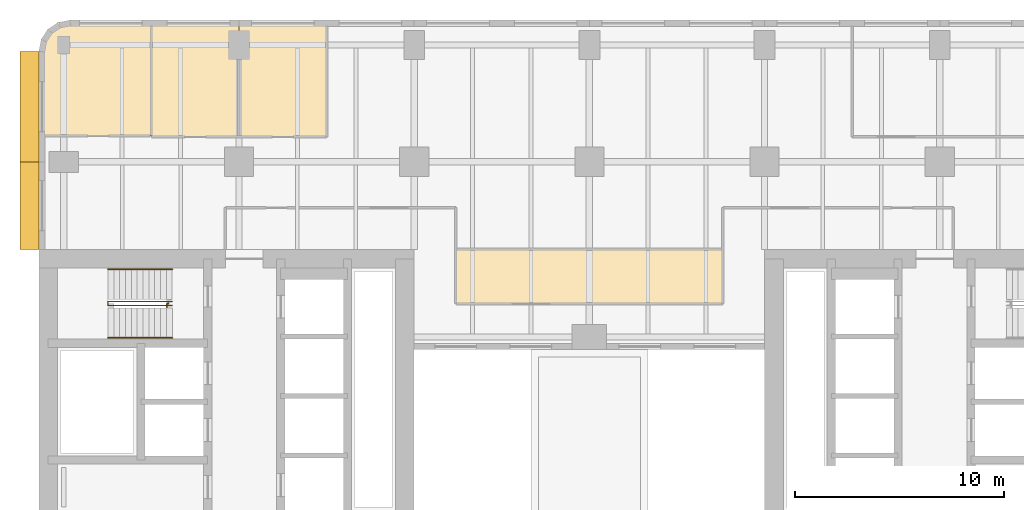
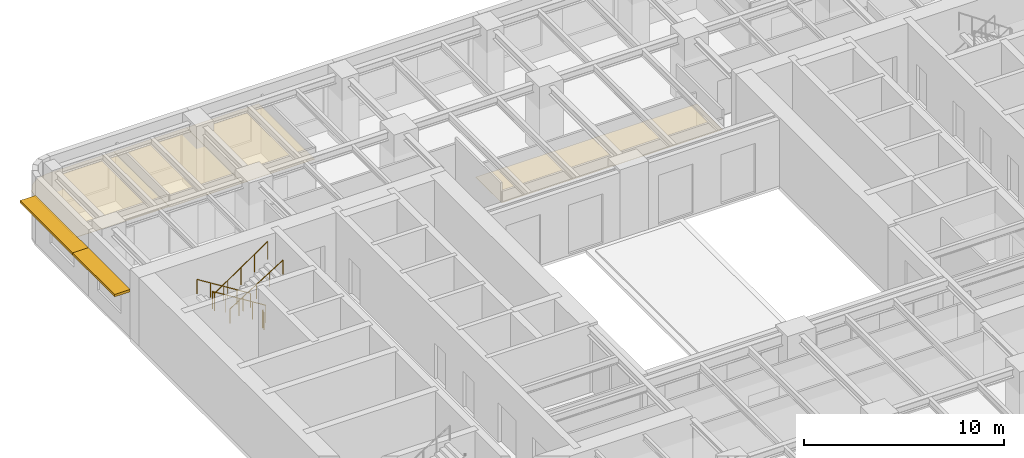
# One storey, part 12 of 14: 4 coverings, 4 railings, 2 shading devices.
"""IFC4 building model written with IfcOpenShell, lengths in metres."""

from ifc_helpers import new_model, si_unit, direction, frame, origin, origin_2d, place, context, subcontext, project, spatial, polyline, rectangle, circle, outline, extrude, material, layer, layer_set, type_object, element, save


model = new_model("IFC4")

# Units and contexts
model_context = context("Model", 3, precision=1e-05, world=origin(), true_north=direction((0.0, 1.0)))
body_context = subcontext(model_context, "Body", "Model", "MODEL_VIEW")
ifc_project = project(units=[si_unit("LENGTHUNIT", "METRE"), si_unit("AREAUNIT", "SQUARE_METRE"), si_unit("VOLUMEUNIT", "CUBIC_METRE"), si_unit("PLANEANGLEUNIT", "RADIAN"), si_unit("MASSUNIT", "GRAM", prefix="KILO")], contexts=[model_context])

# Site, building, storey
site_placement = place(None, origin())
site = spatial("IfcSite", under=ifc_project, at=site_placement, CompositionType="ELEMENT")
building_placement = place(site_placement, origin())
building = spatial("IfcBuilding", under=site, at=building_placement, Name="Claustro Exchange Tower", CompositionType="ELEMENT")
storey_placement = place(building_placement, frame((0.0, 0.0, 100.800048828125)))
storey = spatial("IfcBuildingStorey", under=building, at=storey_placement, Name="L22", CompositionType="ELEMENT", Elevation=100.800048828125)

# Coverings
ifc_material_1 = material(Name="Gypsum board ceiling", Category="gypsum board")
ifc_layer_1 = layer(ifc_material_1, 0.02490234375)
ifc_layer_set_1 = layer_set([ifc_layer_1], Name="Gypsum board ceiling")
covering_type = type_object("IfcCoveringType", Name="CL2 plasterboard ceiling", PredefinedType="CEILING", material=ifc_layer_set_1)
covering_1_placement = place(storey_placement, frame((0.0, 0.0, 2.800048828125)))
element("IfcCovering", 1, at=covering_1_placement, inside=storey, type_object=covering_type, Name="Ceiling CL2 L22-14", PredefinedType="CEILING", context=body_context, shape_type="SweptSolid", body=[
    extrude(outline(polyline([(18.800048828125, 35.199951171875), (31.60009765625, 35.199951171875), (31.60009765625, 37.800048828125), (18.800048828125, 37.800048828125), (18.800048828125, 35.199951171875)])), origin(), (0.0, 0.0, 1.0), 0.02490234375),
])
covering_2_placement = place(storey_placement, frame((0.0, 0.0, 2.800048828125)))
element("IfcCovering", 2, at=covering_2_placement, inside=storey, type_object=covering_type, Name="Ceiling CL2 L22-17", PredefinedType="CEILING", context=body_context, shape_type="SweptSolid", body=[
    extrude(outline(polyline([(-1.199951171875, 47.300048828125), (-1.199951171875, 43.25), (4.199951171875, 43.25), (4.199951171875, 48.800048828125), (0.300048828125, 48.800048828125), (-0.27392578125, 48.685791015625), (-0.7607421875, 48.360595703125), (-1.085693359375, 47.8740234375), (-1.199951171875, 47.300048828125)])), origin(), (0.0, 0.0, 1.0), 0.02490234375),
])
covering_3_placement = place(storey_placement, frame((0.0, 0.0, 2.800048828125)))
element("IfcCovering", 3, at=covering_3_placement, inside=storey, type_object=covering_type, Name="Ceiling CL2 L22-18", PredefinedType="CEILING", context=body_context, shape_type="SweptSolid", body=[
    extrude(outline(polyline([(8.39990234375, 48.800048828125), (4.199951171875, 48.800048828125), (4.199951171875, 43.199951171875), (8.39990234375, 43.199951171875), (8.39990234375, 48.800048828125)])), origin(), (0.0, 0.0, 1.0), 0.02490234375),
])
covering_4_placement = place(storey_placement, frame((0.0, 0.0, 2.800048828125)))
element("IfcCovering", 4, at=covering_4_placement, inside=storey, type_object=covering_type, Name="Ceiling CL2 L22-19", PredefinedType="CEILING", context=body_context, shape_type="SweptSolid", body=[
    extrude(outline(polyline([(12.60009765625, 48.800048828125), (8.39990234375, 48.800048828125), (8.39990234375, 43.199951171875), (12.60009765625, 43.199951171875), (12.60009765625, 48.800048828125)])), origin(), (0.0, 0.0, 1.0), 0.02490234375),
])

# Railings
ifc_material_2 = material(Name="Steel balustrade, painted", Category="steel")
railing_type_1 = type_object("IfcRailingType", Name="GR2 1100 steel stair guard", PredefinedType="GUARDRAIL", material=ifc_material_2)
railing_1_placement = place(storey_placement, frame((5.199951171875, 35.300048828125, 0.175048828125)))
element("IfcRailing", 5, at=railing_1_placement, inside=storey, type_object=railing_type_1, Name="Stair well guard GR2 stair STWB L22", PredefinedType="GUARDRAIL", context=body_context, shape_type="SweptSolid", body=[
    extrude(circle(Radius=0.02392578125, at=origin_2d()), frame((0.0, 0.0, 1.076171875), z_axis=(-0.848009633417, 0.0, 0.529980812513), x_axis=(0.0, -1.0, 0.0)), (0.0, 0.0, 1.0), 3.6318359375),
    extrude(circle(Radius=0.02392578125, at=origin_2d()), frame((-3.079833984375, 0.0, 3.0009765625), z_axis=(0.0, -1.0, 0.0), x_axis=(1.0, 0.0, 0.0)), (0.0, 0.0, 1.0), 0.199951171875),
    extrude(circle(Radius=0.02392578125, at=origin_2d()), frame((-3.079833984375, -0.199951171875, 3.0009765625), z_axis=(0.826201015165, 0.0, 0.563375436579), x_axis=(0.0, 1.0, 0.0)), (0.0, 0.0, 1.0), 3.727783203125),
    extrude(circle(Radius=0.02099609375, at=origin_2d()), origin(), (0.0, 0.0, 1.0), 1.052001953125),
    extrude(circle(Radius=0.02099609375, at=origin_2d()), frame((-0.77001953125, 0.0, 0.481201171875)), (0.0, 0.0, 1.0), 1.052001953125),
    extrude(circle(Radius=0.02099609375, at=origin_2d()), frame((-1.5400390625, 0.0, 0.96240234375)), (0.0, 0.0, 1.0), 1.052001953125),
    extrude(circle(Radius=0.02099609375, at=origin_2d()), frame((-2.309814453125, 0.0, 1.443603515625)), (0.0, 0.0, 1.0), 1.052001953125),
    extrude(circle(Radius=0.02099609375, at=origin_2d()), frame((-3.079833984375, 0.0, 1.9248046875)), (0.0, 0.0, 1.0), 1.052001953125),
    extrude(circle(Radius=0.02099609375, at=origin_2d()), frame((-3.079833984375, -0.199951171875, 1.9248046875)), (0.0, 0.0, 1.0), 1.052001953125),
    extrude(circle(Radius=0.02099609375, at=origin_2d()), frame((-2.309814453125, -0.199951171875, 2.44970703125)), (0.0, 0.0, 1.0), 1.052001953125),
    extrude(circle(Radius=0.02099609375, at=origin_2d()), frame((-1.5400390625, -0.199951171875, 2.974853515625)), (0.0, 0.0, 1.0), 1.052001953125),
    extrude(circle(Radius=0.02099609375, at=origin_2d()), frame((-0.77001953125, -0.199951171875, 3.5)), (0.0, 0.0, 1.0), 1.052001953125),
    extrude(circle(Radius=0.02099609375, at=origin_2d()), frame((0.0, -0.199951171875, 4.02490234375)), (0.0, 0.0, 1.0), 1.052001953125),
])
railing_2_placement = place(storey_placement, frame((5.0, 35.22998046875, 0.0)))
element("IfcRailing", 6, at=railing_2_placement, inside=storey, type_object=railing_type_1, Name="Stair guard GR2 STWB L22", PredefinedType="GUARDRAIL", context=body_context, shape_type="SweptSolid", body=[
    extrude(circle(Radius=0.02392578125, at=origin_2d()), frame((0.0, 0.0, 1.076171875), z_axis=(0.0, -1.0, 0.0), x_axis=(1.0, 0.0, 0.0)), (0.0, 0.0, 1.0), 0.030029296875),
    extrude(circle(Radius=0.02392578125, at=origin_2d()), frame((0.0, -0.030029296875, 1.076171875), z_axis=(-1.0, 0.0, 0.0), x_axis=(0.0, -1.0, 0.0)), (0.0, 0.0, 1.0), 0.054931640625),
    extrude(circle(Radius=0.02392578125, at=origin_2d()), frame((-0.054931640625, -0.030029296875, 1.076171875), z_axis=(0.0, -1.0, 0.0), x_axis=(1.0, 0.0, 0.0)), (0.0, 0.0, 1.0), 0.179931640625),
    extrude(circle(Radius=0.02099609375, at=origin_2d()), origin(), (0.0, 0.0, 1.0), 1.052001953125),
    extrude(circle(Radius=0.02099609375, at=origin_2d()), frame((0.0, -0.030029296875, 0.0)), (0.0, 0.0, 1.0), 1.052001953125),
    extrude(circle(Radius=0.02099609375, at=origin_2d()), frame((-0.054931640625, -0.030029296875, 0.0)), (0.0, 0.0, 1.0), 1.052001953125),
    extrude(circle(Radius=0.02099609375, at=origin_2d()), frame((-0.054931640625, -0.2099609375, 0.0)), (0.0, 0.0, 1.0), 1.052001953125),
])
ifc_material_3 = material(Name="Stainless steel tube", Category="steel")
railing_type_2 = type_object("IfcRailingType", Name="HR1 900 stair handrail", PredefinedType="HANDRAIL", material=ifc_material_3)
railing_3_placement = place(storey_placement, frame((5.199951171875, 36.840087890625, 0.175048828125)))
element("IfcRailing", 7, at=railing_3_placement, inside=storey, type_object=railing_type_2, Name="Handrail HR1 stair STWB L22", PredefinedType="HANDRAIL", context=body_context, shape_type="SweptSolid", body=[
    extrude(circle(Radius=0.02392578125, at=origin_2d()), frame((0.0, 0.0, 0.8759765625), z_axis=(-0.848009633417, 0.0, 0.529980812513), x_axis=(0.0, -1.0, 0.0)), (0.0, 0.0, 1.0), 3.6318359375),
    extrude(circle(Radius=0.02099609375, at=origin_2d()), origin(), (0.0, 0.0, 1.0), 0.851806640625),
    extrude(circle(Radius=0.02099609375, at=origin_2d()), frame((-0.77001953125, 0.0, 0.481201171875)), (0.0, 0.0, 1.0), 0.851806640625),
    extrude(circle(Radius=0.02099609375, at=origin_2d()), frame((-1.5400390625, 0.0, 0.96240234375)), (0.0, 0.0, 1.0), 0.851806640625),
    extrude(circle(Radius=0.02099609375, at=origin_2d()), frame((-2.309814453125, 0.0, 1.443603515625)), (0.0, 0.0, 1.0), 0.851806640625),
    extrude(circle(Radius=0.02099609375, at=origin_2d()), frame((-3.079833984375, 0.0, 1.9248046875)), (0.0, 0.0, 1.0), 0.851806640625),
])
railing_4_placement = place(storey_placement, frame((2.1201171875, 33.56005859375, 2.27490234375)))
element("IfcRailing", 8, at=railing_4_placement, inside=storey, type_object=railing_type_2, Name="Handrail HR1 stair STWB L22", PredefinedType="HANDRAIL", context=body_context, shape_type="SweptSolid", body=[
    extrude(circle(Radius=0.02392578125, at=origin_2d()), frame((0.0, 0.0, 0.8759765625), z_axis=(0.847979421464, 0.0, 0.530029150871), x_axis=(0.0, 1.0, 0.0)), (0.0, 0.0, 1.0), 3.632080078125),
    extrude(circle(Radius=0.02099609375, at=origin_2d()), origin(), (0.0, 0.0, 1.0), 0.851806640625),
    extrude(circle(Radius=0.02099609375, at=origin_2d()), frame((0.77001953125, 0.0, 0.481201171875)), (0.0, 0.0, 1.0), 0.851806640625),
    extrude(circle(Radius=0.02099609375, at=origin_2d()), frame((1.5400390625, 0.0, 0.96240234375)), (0.0, 0.0, 1.0), 0.851806640625),
    extrude(circle(Radius=0.02099609375, at=origin_2d()), frame((2.309814453125, 0.0, 1.44384765625)), (0.0, 0.0, 1.0), 0.851806640625),
    extrude(circle(Radius=0.02099609375, at=origin_2d()), frame((3.079833984375, 0.0, 1.925048828125)), (0.0, 0.0, 1.0), 0.851806640625),
])

# Shading devices
ifc_material_4 = material(Name="Concrete HA-40 (C40/50), precast, white cement, acid-etched", Category="concrete")
ifc_layer_2 = layer(ifc_material_4, 0.14990234375)
ifc_layer_set_2 = layer_set([ifc_layer_2], Name="Concrete HA-40 (C40/50), precast, white cement, acid-etched")
shading_device_type = type_object("IfcShadingDeviceType", Name="SS2 900 precast concrete SUNSHADE", PredefinedType="SHUTTER", material=ifc_layer_set_2)
shading_device_1_placement = place(storey_placement, frame((-1.64990234375, 39.89990234375, 2.800048828125), z_axis=(0.0, 0.0, 1.0), x_axis=(0.0, 1.0, 0.0)))
element("IfcShadingDevice", 9, at=shading_device_1_placement, inside=storey, type_object=shading_device_type, Name="Precast SUNSHADE SS2 L22", PredefinedType="SHUTTER", context=body_context, shape_type="SweptSolid", body=[
    extrude(rectangle(XDim=4.199951171875, YDim=0.89990234375, at=origin_2d()), origin(), (0.0, 0.0, 1.0), 0.14990234375),
])
shading_device_2_placement = place(storey_placement, frame((-1.64990234375, 44.642578125, 2.800048828125), z_axis=(0.0, 0.0, 1.0), x_axis=(0.0, 1.0, 0.0)))
element("IfcShadingDevice", 10, at=shading_device_2_placement, inside=storey, type_object=shading_device_type, Name="Precast SUNSHADE SS2 L22", PredefinedType="SHUTTER", context=body_context, shape_type="SweptSolid", body=[
    extrude(rectangle(XDim=5.28515625, YDim=0.89990234375, at=origin_2d()), origin(), (0.0, 0.0, 1.0), 0.14990234375),
])

save(model, "model.ifc")
